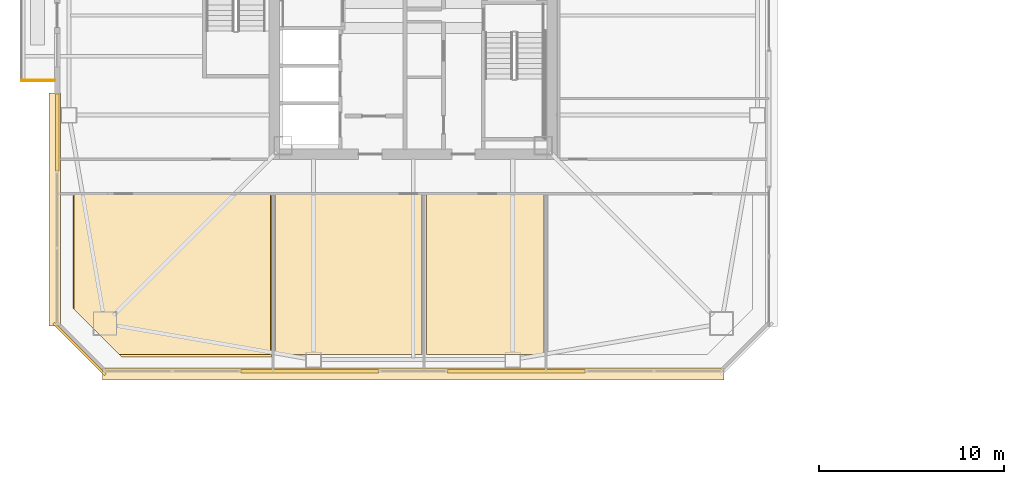
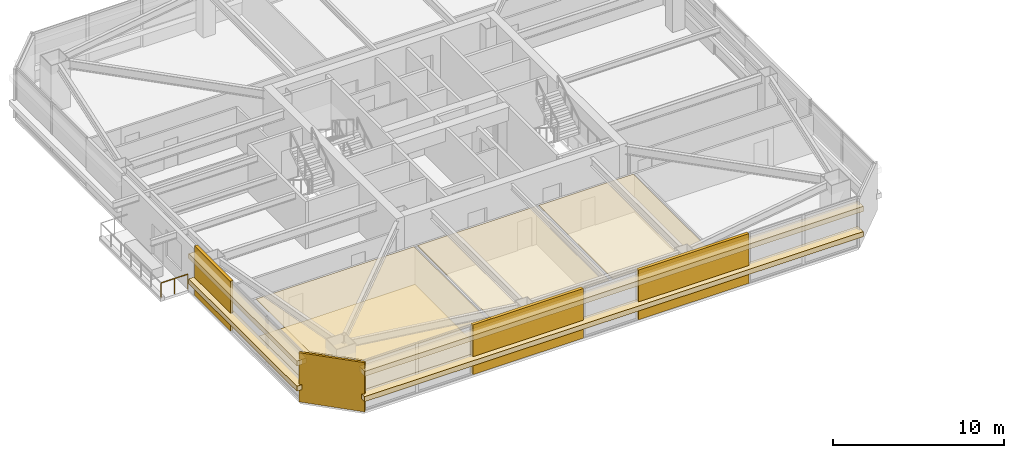
# One storey, part 39 of 44: 12 coverings, 1 railing.
"""IFC4 building model written with IfcOpenShell, lengths in metres."""

from ifc_helpers import new_model, si_unit, direction, frame, origin, origin_2d, place, context, subcontext, project, spatial, polyline, rectangle, outline, extrude, material, layer, layer_set, type_object, element, save


model = new_model("IFC4")

# Units and contexts
model_context = context("Model", 3, precision=1e-05, world=origin(), true_north=direction((0.0, 1.0)))
body_context = subcontext(model_context, "Body", "Model", "MODEL_VIEW")
ifc_project = project(units=[si_unit("LENGTHUNIT", "METRE"), si_unit("AREAUNIT", "SQUARE_METRE"), si_unit("VOLUMEUNIT", "CUBIC_METRE"), si_unit("PLANEANGLEUNIT", "RADIAN"), si_unit("MASSUNIT", "GRAM", prefix="KILO")], contexts=[model_context])

# Site, building, storey
site_placement = place(None, origin())
site = spatial("IfcSite", under=ifc_project, at=site_placement, CompositionType="ELEMENT")
building_placement = place(site_placement, origin())
building = spatial("IfcBuilding", under=site, at=building_placement, Name="Tashvorn Skyway Center", CompositionType="ELEMENT")
storey_placement = place(building_placement, frame((0.0, 0.0, 128.60009765625)))
storey = spatial("IfcBuildingStorey", under=building, at=storey_placement, Name="L34", CompositionType="ELEMENT", Elevation=128.60009765625)

# Coverings
ifc_material_1 = material(Name="Precast concrete C40/50", Category="concrete")
ifc_layer_1 = layer(ifc_material_1, 0.199951171875)
ifc_layer_set_1 = layer_set([ifc_layer_1], Name="Precast concrete C40/50")
covering_type_1 = type_object("IfcCoveringType", Name="COV-BRACE-CLAD", PredefinedType="CLADDING", material=ifc_layer_set_1)
for number, where, z_axis, x_axis, name in (
    (1, (47.59326171875, 12.719970703125, 0.0), (0.0, 0.0, 1.0), (-1.0, 0.0, 0.0), "Tower 1 L34 South Unitised Curtain Wall Mega-Brace Cladding Band 1"),
    (2, (36.40673828125, 12.719970703125, 0.0), (0.0, 0.0, 1.0), (-1.0, 0.0, 0.0), "Tower 1 L34 South Unitised Curtain Wall Mega-Brace Cladding Band 2"),
):
    element("IfcCovering", number, at=place(storey_placement, frame(where, z_axis=z_axis, x_axis=x_axis)), inside=storey, type_object=covering_type_1, Name=name, PredefinedType="CLADDING", context=body_context, shape_type="SweptSolid", body=[
        extrude(rectangle(XDim=7.457763671875, YDim=0.199951171875, at=origin_2d()), origin(), (0.0, 0.0, 1.0), 3.550048828125),
    ])
covering_1_placement = place(storey_placement, frame((22.719970703125, 25.66162109375, 0.0), z_axis=(0.0, 0.0, 1.0), x_axis=(0.0, 1.0, 0.0)))
element("IfcCovering", 3, at=covering_1_placement, inside=storey, type_object=covering_type_1, Name="Tower 1 L34 West Curtain Wall L Mega-Brace Cladding Band 1", PredefinedType="CLADDING", context=body_context, shape_type="SweptSolid", body=[
    extrude(rectangle(XDim=4.1767578125, YDim=0.199951171875, at=origin_2d()), origin(), (0.0, 0.0, 1.0), 3.550048828125),
])
ifc_material_2 = material(Name="Mineral-fibre acoustic ceiling tile on suspended grid")
ifc_layer_2 = layer(ifc_material_2, 0.02001953125)
ifc_layer_set_2 = layer_set([ifc_layer_2], Name="Mineral-fibre acoustic ceiling tile on suspended grid")
covering_type_2 = type_object("IfcCoveringType", Name="COV-CEIL-20", PredefinedType="CEILING", material=ifc_layer_set_2)
covering_2_placement = place(storey_placement, frame((0.0, 0.0, 2.702880859375)))
element("IfcCovering", 4, at=covering_2_placement, inside=storey, type_object=covering_type_2, Name="Tower 1 L34 Open Plan Office Acoustic Ceiling", PredefinedType="CEILING", context=body_context, shape_type="SweptSolid", body=[
    extrude(outline(polyline([(23.6201171875, 22.2900390625), (34.280029296875, 22.2900390625), (34.280029296875, 13.6201171875), (26.080078125, 13.6201171875), (23.6201171875, 16.080078125), (23.6201171875, 22.2900390625)])), origin(), (0.0, 0.0, 1.0), 0.02001953125),
])
covering_3_placement = place(storey_placement, frame((0.0, 0.0, 2.702880859375)))
element("IfcCovering", 5, at=covering_3_placement, inside=storey, type_object=covering_type_2, Name="Tower 1 L34 Staff Fitness Club Acoustic Ceiling", PredefinedType="CEILING", context=body_context, shape_type="SweptSolid", body=[
    extrude(outline(polyline([(34.52001953125, 22.2900390625), (42.47998046875, 22.2900390625), (42.47998046875, 13.6201171875), (34.52001953125, 13.6201171875), (34.52001953125, 22.2900390625)])), origin(), (0.0, 0.0, 1.0), 0.02001953125),
])
covering_4_placement = place(storey_placement, frame((0.0, 0.0, 2.702880859375)))
element("IfcCovering", 6, at=covering_4_placement, inside=storey, type_object=covering_type_2, Name="Tower 1 L34 Staff Fitness Club Acoustic Ceiling", PredefinedType="CEILING", context=body_context, shape_type="SweptSolid", body=[
    extrude(outline(polyline([(42.719970703125, 22.2900390625), (49.080078125, 22.2900390625), (49.080078125, 13.6201171875), (42.719970703125, 13.6201171875), (42.719970703125, 22.2900390625)])), origin(), (0.0, 0.0, 1.0), 0.02001953125),
])
ifc_material_3 = material(Name="Polished Mojave desert-aggregate terrazzo and cover plate")
ifc_layer_3 = layer(ifc_material_3, 0.0400390625)
ifc_layer_set_3 = layer_set([ifc_layer_3], Name="Polished Mojave desert-aggregate terrazzo and cover plate")
covering_type_3 = type_object("IfcCoveringType", Name="COV-FLR-40", PredefinedType="FLOORING", material=ifc_layer_set_3)
covering_5_placement = place(storey_placement, origin())
element("IfcCovering", 7, at=covering_5_placement, inside=storey, type_object=covering_type_3, Name="Tower 1 L34 Open Plan Office Finish Flooring", PredefinedType="FLOORING", context=body_context, shape_type="SweptSolid", body=[
    extrude(outline(polyline([(26.199951171875, 13.5), (23.580078125, 16.1201171875), (23.580078125, 22.25), (34.320068359375, 22.25), (34.320068359375, 13.5), (26.199951171875, 13.5)])), origin(), (0.0, 0.0, 1.0), 0.039794921875),
])
ifc_material_4 = material(Name="Perforated ceramic-coated bronze aluminium solar screen", Category="aluminium")
ifc_layer_4 = layer(ifc_material_4, 0.85009765625)
ifc_layer_set_4 = layer_set([ifc_layer_4], Name="Perforated ceramic-coated bronze aluminium solar screen")
covering_type_4 = type_object("IfcCoveringType", Name="COV-SOLAR-BAND", PredefinedType="CLADDING", material=ifc_layer_set_4)
for number, where, z_axis, x_axis, name in (
    (8, (42.0, 12.580078125, 0.919921875), (0.0, 0.0, 1.0), (-1.0, 0.0, 0.0), "L34 Perforated Ceramic-Metal Solar Screen Louvre Band South 1"),
    (9, (42.0, 12.580078125, 2.7197265625), (0.0, 0.0, 1.0), (-1.0, 0.0, 0.0), "L34 Perforated Ceramic-Metal Solar Screen Louvre Band South 2"),
):
    element("IfcCovering", number, at=place(storey_placement, frame(where, z_axis=z_axis, x_axis=x_axis)), inside=storey, type_object=covering_type_4, Name=name, PredefinedType="CLADDING", context=body_context, shape_type="SweptSolid", body=[
        extrude(rectangle(XDim=33.679931640625, YDim=0.639892578125, at=origin_2d()), origin(), (0.0, 0.0, 1.0), 0.360107421875),
    ])
for number, where, z_axis, x_axis, name in (
    (10, (22.580078125, 21.485107421875, 0.919921875), (0.0, 0.0, 1.0), (0.0, 1.0, 0.0), "L34 Perforated Ceramic-Metal Solar Screen Louvre Band West 1"),
    (11, (22.580078125, 21.485107421875, 2.7197265625), (0.0, 0.0, 1.0), (0.0, 1.0, 0.0), "L34 Perforated Ceramic-Metal Solar Screen Louvre Band West 2"),
):
    element("IfcCovering", number, at=place(storey_placement, frame(where, z_axis=z_axis, x_axis=x_axis)), inside=storey, type_object=covering_type_4, Name=name, PredefinedType="CLADDING", context=body_context, shape_type="SweptSolid", body=[
        extrude(rectangle(XDim=12.64990234375, YDim=0.639892578125, at=origin_2d()), origin(), (0.0, 0.0, 1.0), 0.360107421875),
    ])
ifc_layer_5 = layer(ifc_material_1, 0.35009765625)
ifc_layer_set_5 = layer_set([ifc_layer_5], Name="Precast concrete C40/50")
covering_type_5 = type_object("IfcCoveringType", Name="COV-STONE-TRIM", PredefinedType="CLADDING", material=ifc_layer_set_5)
covering_6_placement = place(storey_placement, frame((23.929931640625, 13.929931640625, 0.02001953125), z_axis=(0.0, 0.0, 1.0), x_axis=(-0.707106781187, 0.707106781187, 0.0)))
element("IfcCovering", 12, at=covering_6_placement, inside=storey, type_object=covering_type_5, Name="Tower 1 L34 SW Mojave Limestone Corner Quoin", PredefinedType="CLADDING", context=body_context, shape_type="SweptSolid", body=[
    extrude(rectangle(XDim=3.978515625, YDim=0.139892578125, at=origin_2d()), origin(), (0.0, 0.0, 1.0), 3.510009765625),
])

# Railing
ifc_material_5 = material(Name="Galvanized steel S355", Category="steel")
railing_type = type_object("IfcRailingType", Name="RAIL-GUARD-1120", PredefinedType="GUARDRAIL", material=ifc_material_5)
railing_placement = place(storey_placement, frame((22.60009765625, 28.47998046875, 0.0)))
element("IfcRailing", 13, at=railing_placement, inside=storey, type_object=railing_type, Name="L34 Tower 1 Terrace Guardrail 01", PredefinedType="GUARDRAIL", context=body_context, shape_type="SweptSolid", body=[
    extrude(rectangle(XDim=0.048095703125, YDim=0.048095703125, at=origin_2d()), frame((0.0, 0.0, 1.09619140625), z_axis=(-1.0, 0.0, 0.0), x_axis=(0.0, -1.0, 0.0)), (0.0, 0.0, 1.0), 1.820068359375),
    extrude(rectangle(XDim=0.0419921875, YDim=0.0419921875, at=origin_2d()), origin(), (0.0, 0.0, 1.0), 1.072021484375),
    extrude(rectangle(XDim=0.0419921875, YDim=0.0419921875, at=origin_2d()), frame((-0.91015625, 0.0, 0.0)), (0.0, 0.0, 1.0), 1.072021484375),
    extrude(rectangle(XDim=0.0419921875, YDim=0.0419921875, at=origin_2d()), frame((-1.820068359375, 0.0, 0.0)), (0.0, 0.0, 1.0), 1.072021484375),
])

save(model, "model.ifc")
